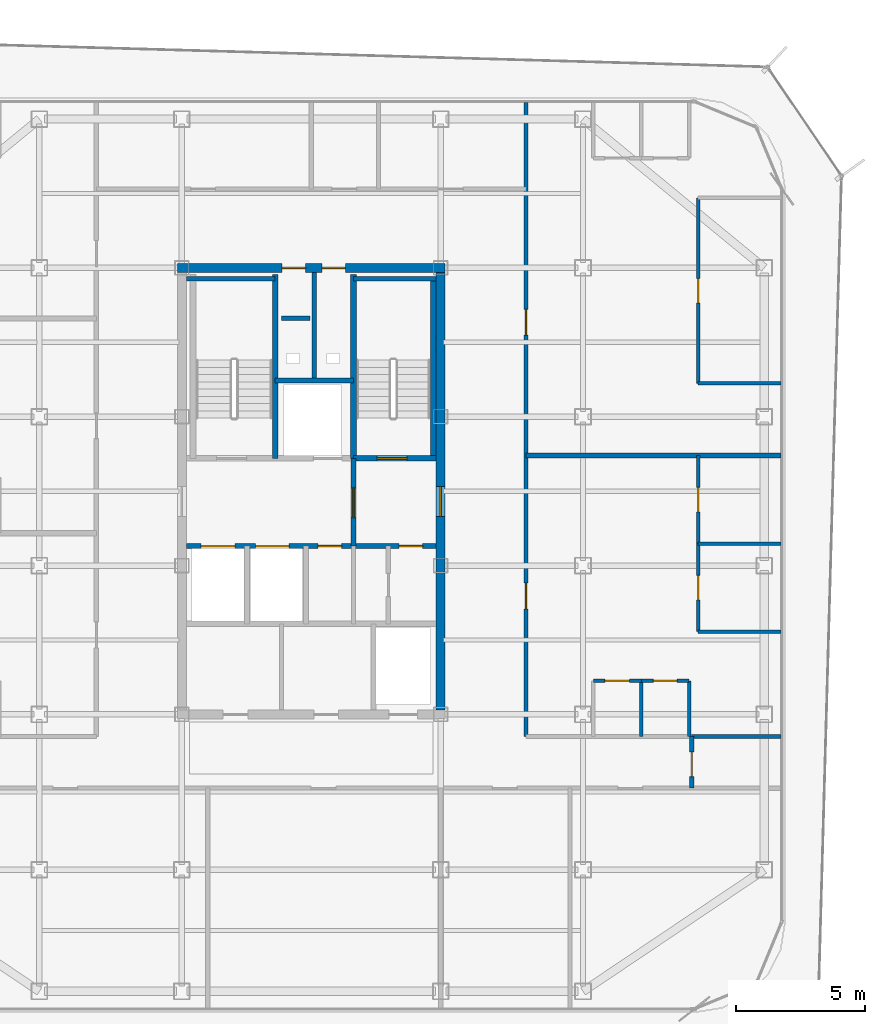
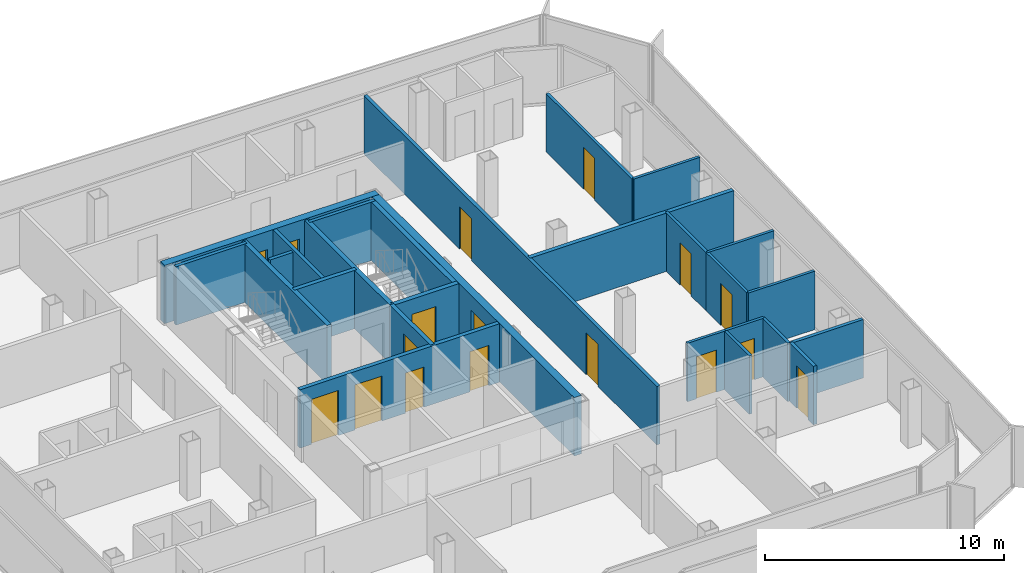
# One storey, part 11 of 14: 27 walls, 17 doors, 17 openings.
"""IFC4 building model written with IfcOpenShell, lengths in metres."""

import ifcopenshell
import ifcopenshell.guid

model = None  # the IFC model being written
_history = None  # IfcOwnerHistory: only IFC2X3 demands one
_inside = {}  # id of a spatial element -> (the spatial element, [elements in it])
_under = {}  # id of a project, library or spatial element -> (it, [spatial elements below it])
_declared = {}  # id of a project -> (the project, [libraries it declares])
_typed = {}  # id of a type object -> (the type object, [elements of that type])
_made_of = {}  # id of a material, layer set ... -> (it, [elements and type objects made of it])


def new_model(schema):
    """Start an empty IFC model of exactly this schema.

    Asked for "IFC4X3", IfcOpenShell would pick the latest addendum, in which some entities
    have other attributes; the version numbers below select the first issue.
    IFC2X3 requires an IfcOwnerHistory on every rooted entity: one is made here for all.
    """
    global model, _history
    if schema == "IFC4X3":
        model = ifcopenshell.file(schema_version=(4, 3, 0, 0))
    else:
        model = ifcopenshell.file(schema=schema)
    _inside.clear()
    _under.clear()
    _declared.clear()
    _typed.clear()
    _made_of.clear()
    _history = None
    if model.schema == "IFC2X3":
        org = make("IfcOrganization", Name="unknown")
        user = make(
            "IfcPersonAndOrganization",
            ThePerson=make("IfcPerson", FamilyName="unknown"),
            TheOrganization=org,
        )
        app = make(
            "IfcApplication",
            ApplicationDeveloper=org,
            Version="unknown",
            ApplicationFullName="unknown",
            ApplicationIdentifier="unknown",
        )
        _history = make(
            "IfcOwnerHistory",
            OwningUser=user,
            OwningApplication=app,
            ChangeAction="ADDED",
            CreationDate=0,
        )
    return model


def make(cls, **values):
    """One entity of the class cls with the attributes given. An attribute that is None is left unset."""
    return model.create_entity(
        cls, **{name: value for name, value in values.items() if value is not None}
    )


def rooted(cls, **values):
    """An entity with a GlobalId (a new one), such as an element, a storey or a relation."""
    return make(cls, GlobalId=ifcopenshell.guid.new(), OwnerHistory=_history, **values)


def si_unit(unit_type, name, prefix=None):
    """IfcSIUnit, for example si_unit("LENGTHUNIT", "METRE", prefix="MILLI")."""
    return make("IfcSIUnit", UnitType=unit_type, Prefix=prefix, Name=name)


def assignment(units):
    """IfcUnitAssignment: the units of a project."""
    return None if units is None else make("IfcUnitAssignment", Units=units)


def point(xyz):
    """IfcCartesianPoint."""
    return None if xyz is None else make("IfcCartesianPoint", Coordinates=xyz)


def direction(xyz):
    """IfcDirection."""
    return None if xyz is None else make("IfcDirection", DirectionRatios=xyz)


def frame(location, z_axis=None, x_axis=None):
    """IfcAxis2Placement3D, a coordinate frame: its origin and axes. An axis left out is left unset."""
    return make(
        "IfcAxis2Placement3D",
        Location=point(location),
        Axis=direction(z_axis),
        RefDirection=direction(x_axis),
    )


def frame_2d(location, x_axis=None):
    """IfcAxis2Placement2D, a coordinate frame in the plane: its origin and x axis."""
    return make(
        "IfcAxis2Placement2D", Location=point(location), RefDirection=direction(x_axis)
    )


def origin():
    """The frame at (0, 0, 0) with its axes left unset."""
    return frame((0.0, 0.0, 0.0))


def place(relative_to, where):
    """IfcLocalPlacement: puts the frame where relative to a parent placement (None: the world)."""
    return make(
        "IfcLocalPlacement", PlacementRelTo=relative_to, RelativePlacement=where
    )


def context(
    kind, dimensions, precision=None, world=None, true_north=None, identifier=None
):
    """IfcGeometricRepresentationContext, for example the 3D "Model" context."""
    return make(
        "IfcGeometricRepresentationContext",
        ContextIdentifier=identifier,
        ContextType=kind,
        CoordinateSpaceDimension=dimensions,
        Precision=precision,
        WorldCoordinateSystem=world,
        TrueNorth=true_north,
    )


def subcontext(parent, identifier, kind, view, scale=None):
    """IfcGeometricRepresentationSubContext, for example "Body" below "Model"."""
    return make(
        "IfcGeometricRepresentationSubContext",
        ContextIdentifier=identifier,
        ContextType=kind,
        ParentContext=parent,
        TargetScale=scale,
        TargetView=view,
    )


def project(units=None, contexts=None):
    """IfcProject with its units and contexts."""
    return rooted(
        "IfcProject",
        Name="project",
        RepresentationContexts=contexts,
        UnitsInContext=assignment(units),
    )


def spatial(cls, under=None, at=None, **own):
    """A site, building, storey or space (cls), placed at a placement, below another one or the project."""
    s = rooted(cls, ObjectPlacement=at, **own)
    if under is not None:
        _under.setdefault(under.id(), (under, []))[1].append(s)
    return s


def profile(cls, at=None, kind="AREA", **sizes):
    """A parametric profile (cls). Its sizes go by their IFC names, for example OverallWidth=200.0."""
    return make(cls, ProfileType=kind, Position=at, **sizes)


def rectangle(**sizes):
    """IfcRectangleProfileDef."""
    return profile("IfcRectangleProfileDef", **sizes)


def extrude(swept, where, along, depth):
    """IfcExtrudedAreaSolid: the profile swept, set in the frame where, extruded along a direction by depth."""
    return make(
        "IfcExtrudedAreaSolid",
        SweptArea=swept,
        Position=where,
        ExtrudedDirection=direction(along),
        Depth=depth,
    )


def shape(context_of_items, identifier, shape_type, items):
    """IfcShapeRepresentation: the items that make up one representation, for example the "Body"."""
    return make(
        "IfcShapeRepresentation",
        ContextOfItems=context_of_items,
        RepresentationIdentifier=identifier,
        RepresentationType=shape_type,
        Items=items,
    )


def material(Name=None, Category=None):
    """IfcMaterial."""
    return make("IfcMaterial", Name=Name, Category=Category)


def layer(
    of_material, thickness, ventilated=None, Name=None, Category=None, Priority=None
):
    """IfcMaterialLayer: one layer of a wall or slab, of a material (None: an air gap)."""
    return make(
        "IfcMaterialLayer",
        Material=of_material,
        LayerThickness=thickness,
        IsVentilated=ventilated,
        Name=Name,
        Category=Category,
        Priority=Priority,
    )


def layer_set(layers, Name=None):
    """IfcMaterialLayerSet."""
    return make("IfcMaterialLayerSet", MaterialLayers=layers, LayerSetName=Name)


def made_of(thing, what):
    """Note that an element or type object is made of a material, layer set ...; save() writes the relation."""
    if what is not None:
        _made_of.setdefault(what.id(), (what, []))[1].append(thing)
    return thing


def type_object(cls, material=None, **own):
    """A type object (cls), such as IfcWallType, which elements share."""
    return made_of(rooted(cls, **own), material)


def element(
    cls,
    number,
    at=None,
    inside=None,
    cuts=None,
    type_object=None,
    material=None,
    context=None,
    identifier="Body",
    shape_type=None,
    held_by="IfcProductDefinitionShape",
    body=None,
    shapes=None,
    **own,
):
    """One element of the class cls, such as IfcWall. Its Tag is "e" and its number.

    at: its placement. inside: the storey or other place that contains it. cuts: it is an
    opening in that element (IfcRelVoidsElement). A single representation is given by context,
    identifier, shape_type and body (its items); several are given by shapes. held_by: the class
    of the entity that holds the representations. save() writes the other relations.
    """
    e = rooted(cls, Tag="e%d" % number, ObjectPlacement=at, **own)
    if body is not None:
        shapes = [shape(context, identifier, shape_type, body)]
    if shapes is not None:
        e.Representation = make(held_by, Representations=shapes)
    if inside is not None:
        _inside.setdefault(inside.id(), (inside, []))[1].append(e)
    if cuts is not None:
        rooted(
            "IfcRelVoidsElement", RelatingBuildingElement=cuts, RelatedOpeningElement=e
        )
    if type_object is not None:
        _typed.setdefault(type_object.id(), (type_object, []))[1].append(e)
    return made_of(e, material)


def fill(opening, filler):
    """IfcRelFillsElement: the door or window that sits in an opening."""
    return rooted(
        "IfcRelFillsElement",
        RelatingOpeningElement=opening,
        RelatedBuildingElement=filler,
    )


def aggregate(whole, parts):
    """IfcRelAggregates: a whole, such as a stair, and the parts it consists of."""
    return rooted("IfcRelAggregates", RelatingObject=whole, RelatedObjects=parts)


def save(model, path):
    """Write the relations noted so far, then the file.

    IfcRelAggregates (storeys below a building ...), IfcRelContainedInSpatialStructure (elements
    in a storey), IfcRelDefinesByType, IfcRelAssociatesMaterial and IfcRelDeclares: one each for
    every whole, place, type object, material and project.
    """
    for whole, parts in _under.values():
        aggregate(whole, parts)
    for where, things in _inside.values():
        rooted(
            "IfcRelContainedInSpatialStructure",
            RelatedElements=things,
            RelatingStructure=where,
        )
    for kind, things in _typed.values():
        rooted("IfcRelDefinesByType", RelatedObjects=things, RelatingType=kind)
    for what, things in _made_of.values():
        rooted("IfcRelAssociatesMaterial", RelatedObjects=things, RelatingMaterial=what)
    for by, libraries in _declared.values():
        rooted("IfcRelDeclares", RelatingContext=by, RelatedDefinitions=libraries)
    model.write(path)


model = new_model("IFC4")

# Units and contexts
model_context = context("Model", 3, precision=1e-05, world=origin(), true_north=direction((0.0, 1.0)))
body_context = subcontext(model_context, "Body", "Model", "MODEL_VIEW")
ifc_project = project(units=[si_unit("LENGTHUNIT", "METRE"), si_unit("AREAUNIT", "SQUARE_METRE"), si_unit("VOLUMEUNIT", "CUBIC_METRE"), si_unit("PLANEANGLEUNIT", "RADIAN"), si_unit("MASSUNIT", "GRAM", prefix="KILO")], contexts=[model_context])

# Site, building, storey
site_placement = place(None, origin())
site = spatial("IfcSite", under=ifc_project, at=site_placement, CompositionType="ELEMENT")
building_placement = place(site_placement, origin())
building = spatial("IfcBuilding", under=site, at=building_placement, Name="Kolveth Station Tower", CompositionType="ELEMENT")
storey_placement = place(building_placement, frame((0.0, 0.0, 226.5)))
storey = spatial("IfcBuildingStorey", under=building, at=storey_placement, Name="L64", CompositionType="ELEMENT", Elevation=226.5)

# Wall, openings, doors
ifc_material_1 = material(Name="Concrete C50/60", Category="concrete")
ifc_layer_1 = layer(ifc_material_1, 0.35009765625)
ifc_layer_set_1 = layer_set([ifc_layer_1], Name="Concrete C50/60")
wall_type_1 = type_object("IfcWallType", Name="Wall_CW-350", PredefinedType="SHEAR", material=ifc_layer_set_1)
wall_1_placement = place(storey_placement, frame((18.324951171875, 28.75, 0.0), z_axis=(0.0, 0.0, 1.0), x_axis=(1.0, 0.0, 0.0)))
wall_1 = element("IfcWall", 1, at=wall_1_placement, inside=storey, type_object=wall_type_1, Name="L64 Core RC Shear Wall N", PredefinedType="SHEAR", context=body_context, shape_type="SweptSolid", body=[
    extrude(rectangle(XDim=10.35009765625, YDim=0.35009765625, at=frame_2d((5.175048828125, 0.0))), origin(), (0.0, 0.0, 1.0), 2.97998046875),
])
opening_1_placement = place(wall_1_placement, frame((4.054931640625, 0.0, 0.0)))
opening_1 = element("IfcOpeningElement", 2, at=opening_1_placement, cuts=wall_1, Name="Opening RD1", PredefinedType="OPENING", context=body_context, shape_type="SweptSolid", body=[
    extrude(rectangle(XDim=0.89990234375, YDim=2.050048828125, at=frame_2d((0.449951171875, 1.02490234375))), frame((0.0, 0.18505859375, 0.0), z_axis=(0.0, -1.0, 0.0), x_axis=(1.0, 0.0, 0.0)), (0.0, 0.0, 1.0), 0.3701171875),
])
opening_2_placement = place(wall_1_placement, frame((5.594970703125, 0.0, 0.0)))
opening_2 = element("IfcOpeningElement", 3, at=opening_2_placement, cuts=wall_1, Name="Opening RD1", PredefinedType="OPENING", context=body_context, shape_type="SweptSolid", body=[
    extrude(rectangle(XDim=0.89990234375, YDim=2.050048828125, at=frame_2d((0.449951171875, 1.02490234375))), frame((0.0, 0.18505859375, 0.0), z_axis=(0.0, -1.0, 0.0), x_axis=(1.0, 0.0, 0.0)), (0.0, 0.0, 1.0), 0.3701171875),
])
ifc_material_2 = material(Name="Fire-rated Steel S355 riser access leaf", Category="steel")
door_type_1 = type_object("IfcDoorType", Name="Door_RD1", OperationType="NOTDEFINED", PredefinedType="DOOR", material=ifc_material_2)
door_1_placement = place(opening_1_placement, origin())
door_1 = element("IfcDoor", 4, at=door_1_placement, inside=storey, type_object=door_type_1, Name="L64 Electrical Riser Access Door", OperationType="SINGLE_SWING_RIGHT", OverallHeight=2.050048828125, OverallWidth=0.89990234375, PredefinedType="DOOR", context=body_context, shape_type="SweptSolid", body=[
    extrude(rectangle(XDim=0.89990234375, YDim=2.050048828125, at=frame_2d((0.449951171875, 1.02490234375))), frame((0.0, 0.02490234375, 0.0), z_axis=(0.0, -1.0, 0.0), x_axis=(1.0, 0.0, 0.0)), (0.0, 0.0, 1.0), 0.050048828125),
])
fill(opening_1, door_1)
door_2_placement = place(opening_2_placement, origin())
door_2 = element("IfcDoor", 5, at=door_2_placement, inside=storey, type_object=door_type_1, Name="L64 Smoke Duct Access Door", OperationType="SINGLE_SWING_LEFT", OverallHeight=2.050048828125, OverallWidth=0.89990234375, PredefinedType="DOOR", context=body_context, shape_type="SweptSolid", body=[
    extrude(rectangle(XDim=0.89990234375, YDim=2.050048828125, at=frame_2d((0.449951171875, 1.02490234375))), frame((0.0, 0.02490234375, 0.0), z_axis=(0.0, -1.0, 0.0), x_axis=(1.0, 0.0, 0.0)), (0.0, 0.0, 1.0), 0.050048828125),
])
fill(opening_2, door_2)

# Wall, opening, door
wall_2_placement = place(storey_placement, frame((28.5, 11.675048828125, 0.0), z_axis=(0.0, 0.0, 1.0), x_axis=(0.0, 1.0, 0.0)))
wall_2 = element("IfcWall", 6, at=wall_2_placement, inside=storey, type_object=wall_type_1, Name="L64 Core RC Shear Wall E", PredefinedType="SHEAR", context=body_context, shape_type="SweptSolid", body=[
    extrude(rectangle(XDim=16.89990234375, YDim=0.35009765625, at=frame_2d((8.449951171875, 0.0))), origin(), (0.0, 0.0, 1.0), 2.97998046875),
])
opening_3_placement = place(wall_2_placement, frame((7.47509765625, 0.0, 0.0)))
opening_3 = element("IfcOpeningElement", 7, at=opening_3_placement, cuts=wall_2, Name="Opening FD1", PredefinedType="OPENING", context=body_context, shape_type="SweptSolid", body=[
    extrude(rectangle(XDim=1.14990234375, YDim=2.199951171875, at=frame_2d((0.574951171875, 1.10009765625))), frame((0.0, 0.18505859375, 0.0), z_axis=(0.0, -1.0, 0.0), x_axis=(1.0, 0.0, 0.0)), (0.0, 0.0, 1.0), 0.3701171875),
])
ifc_material_3 = material(Name="Fire-rated Steel S355 leaf and frame", Category="steel")
door_type_2 = type_object("IfcDoorType", Name="Door_FD1", OperationType="NOTDEFINED", PredefinedType="DOOR", material=ifc_material_3)
door_3_placement = place(opening_3_placement, origin())
door_3 = element("IfcDoor", 8, at=door_3_placement, inside=storey, type_object=door_type_2, Name="L64 East Corridor to Stair Lobby Door", OperationType="SINGLE_SWING_LEFT", OverallHeight=2.199951171875, OverallWidth=1.14990234375, PredefinedType="DOOR", context=body_context, shape_type="SweptSolid", body=[
    extrude(rectangle(XDim=1.14990234375, YDim=2.199951171875, at=frame_2d((0.574951171875, 1.10009765625))), frame((0.0, 0.02490234375, 0.0), z_axis=(0.0, -1.0, 0.0), x_axis=(1.0, 0.0, 0.0)), (0.0, 0.0, 1.0), 0.050048828125),
])
fill(opening_3, door_3)

ifc_material_4 = material(Name="Moisture-resistant gypsum partition")
ifc_layer_2 = layer(ifc_material_4, 0.135009765625)
ifc_layer_set_2 = layer_set([ifc_layer_2], Name="Moisture-resistant gypsum partition")
wall_type_2 = type_object("IfcWallType", Name="Wall_IW-135", PredefinedType="PARTITIONING", material=ifc_layer_set_2)
wall_3_placement = place(storey_placement, frame((34.39990234375, 12.800048828125, 0.0), z_axis=(0.0, 0.0, 1.0), x_axis=(1.0, 0.0, 0.0)))
wall_3 = element("IfcWall", 9, at=wall_3_placement, inside=storey, type_object=wall_type_2, Name="L64 Partition Wall WL-L64-E1-IBHK", PredefinedType="PARTITIONING", context=body_context, shape_type="SweptSolid", body=[
    extrude(rectangle(XDim=1.85009765625, YDim=0.135009765625, at=frame_2d((0.925048828125, 0.0))), origin(), (0.0, 0.0, 1.0), 2.97998046875),
])
opening_4_placement = place(wall_3_placement, frame((0.445068359375, 0.0, 0.0)))
opening_4 = element("IfcOpeningElement", 10, at=opening_4_placement, cuts=wall_3, Name="Opening ID1", PredefinedType="OPENING", context=body_context, shape_type="SweptSolid", body=[
    extrude(rectangle(XDim=0.949951171875, YDim=2.14990234375, at=frame_2d((0.47509765625, 1.074951171875))), frame((0.0, 0.077392578125, 0.0), z_axis=(0.0, -1.0, 0.0), x_axis=(1.0, 0.0, 0.0)), (0.0, 0.0, 1.0), 0.155029296875),
])
ifc_material_5 = material(Name="Acoustic hardwood leaf and aluminium frame", Category="wood")
door_type_3 = type_object("IfcDoorType", Name="Door_ID1", OperationType="NOTDEFINED", PredefinedType="DOOR", material=ifc_material_5)
door_4_placement = place(opening_4_placement, origin())
door_4 = element("IfcDoor", 11, at=door_4_placement, inside=storey, type_object=door_type_3, Name="Penthouse Flat L64-E1 Kitchen Door", OperationType="SINGLE_SWING_LEFT", OverallHeight=2.14990234375, OverallWidth=0.949951171875, PredefinedType="DOOR", context=body_context, shape_type="SweptSolid", body=[
    extrude(rectangle(XDim=0.949951171875, YDim=2.14990234375, at=frame_2d((0.47509765625, 1.074951171875))), frame((0.0, 0.02490234375, 0.0), z_axis=(0.0, -1.0, 0.0), x_axis=(1.0, 0.0, 0.0)), (0.0, 0.0, 1.0), 0.050048828125),
])
fill(opening_4, door_4)

wall_4_placement = place(storey_placement, frame((36.25, 12.800048828125, 0.0), z_axis=(0.0, 0.0, 1.0), x_axis=(1.0, 0.0, 0.0)))
wall_4 = element("IfcWall", 12, at=wall_4_placement, inside=storey, type_object=wall_type_2, Name="L64 Partition Wall WL-L64-E1-IBHB", PredefinedType="PARTITIONING", context=body_context, shape_type="SweptSolid", body=[
    extrude(rectangle(XDim=1.85009765625, YDim=0.135009765625, at=frame_2d((0.925048828125, 0.0))), origin(), (0.0, 0.0, 1.0), 2.97998046875),
])
opening_5_placement = place(wall_4_placement, frame((0.465087890625, 0.0, 0.0)))
opening_5 = element("IfcOpeningElement", 13, at=opening_5_placement, cuts=wall_4, Name="Opening ID2", PredefinedType="OPENING", context=body_context, shape_type="SweptSolid", body=[
    extrude(rectangle(XDim=0.919921875, YDim=2.10009765625, at=frame_2d((0.4599609375, 1.050048828125))), frame((0.0, 0.077392578125, 0.0), z_axis=(0.0, -1.0, 0.0), x_axis=(1.0, 0.0, 0.0)), (0.0, 0.0, 1.0), 0.155029296875),
])
ifc_material_6 = material(Name="Moisture-resistant hardwood leaf", Category="wood")
door_type_4 = type_object("IfcDoorType", Name="Door_ID2", OperationType="NOTDEFINED", PredefinedType="DOOR", material=ifc_material_6)
door_5_placement = place(opening_5_placement, origin())
door_5 = element("IfcDoor", 14, at=door_5_placement, inside=storey, type_object=door_type_4, Name="Penthouse Flat L64-E1 Bathroom Door", OperationType="SINGLE_SWING_RIGHT", OverallHeight=2.10009765625, OverallWidth=0.919921875, PredefinedType="DOOR", context=body_context, shape_type="SweptSolid", body=[
    extrude(rectangle(XDim=0.919921875, YDim=2.10009765625, at=frame_2d((0.4599609375, 1.050048828125))), frame((0.0, 0.02490234375, 0.0), z_axis=(0.0, -1.0, 0.0), x_axis=(1.0, 0.0, 0.0)), (0.0, 0.0, 1.0), 0.050048828125),
])
fill(opening_5, door_5)

# Walls
for number, where, z_axis, x_axis, name in (
    (15, (36.25, 10.64990234375, 0.0), (0.0, 0.0, 1.0), (0.0, 1.0, 0.0), "L64 Partition Wall WL-L64-E1-IBV1"),
    (16, (38.10009765625, 10.64990234375, 0.0), (0.0, 0.0, 1.0), (0.0, 1.0, 0.0), "L64 Partition Wall WL-L64-E1-IBV2"),
):
    element("IfcWall", number, at=place(storey_placement, frame(where, z_axis=z_axis, x_axis=x_axis)), inside=storey, type_object=wall_type_2, Name=name, PredefinedType="PARTITIONING", context=body_context, shape_type="SweptSolid", body=[
        extrude(rectangle(XDim=2.150146484375, YDim=0.135009765625, at=frame_2d((1.0751953125, 0.0))), origin(), (0.0, 0.0, 1.0), 2.97998046875),
    ])
wall_5_placement = place(storey_placement, frame((38.449951171875, 14.699951171875, 0.0), z_axis=(0.0, 0.0, 1.0), x_axis=(1.0, 0.0, 0.0)))
element("IfcWall", 17, at=wall_5_placement, inside=storey, type_object=wall_type_2, Name="L64 Partition Wall WL-L64-E1-BDH0", PredefinedType="PARTITIONING", context=body_context, shape_type="SweptSolid", body=[
    extrude(rectangle(XDim=3.18994140625, YDim=0.135009765625, at=frame_2d((1.594970703125, 0.0))), origin(), (0.0, 0.0, 1.0), 2.97998046875),
])

# Wall, opening, door
wall_6_placement = place(storey_placement, frame((38.449951171875, 14.699951171875, 0.0), z_axis=(0.0, 0.0, 1.0), x_axis=(0.0, 1.0, 0.0)))
wall_6 = element("IfcWall", 18, at=wall_6_placement, inside=storey, type_object=wall_type_2, Name="L64 Partition Wall WL-L64-E1-BDV1", PredefinedType="PARTITIONING", context=body_context, shape_type="SweptSolid", body=[
    extrude(rectangle(XDim=3.400146484375, YDim=0.135009765625, at=frame_2d((1.7001953125, 0.0))), origin(), (0.0, 0.0, 1.0), 2.97998046875),
])
opening_6_placement = place(wall_6_placement, frame((1.219970703125, 0.0, 0.0)))
opening_6 = element("IfcOpeningElement", 19, at=opening_6_placement, cuts=wall_6, Name="Opening ID1", PredefinedType="OPENING", context=body_context, shape_type="SweptSolid", body=[
    extrude(rectangle(XDim=0.949951171875, YDim=2.14990234375, at=frame_2d((0.47509765625, 1.074951171875))), frame((0.0, 0.077392578125, 0.0), z_axis=(0.0, -1.0, 0.0), x_axis=(1.0, 0.0, 0.0)), (0.0, 0.0, 1.0), 0.155029296875),
])
door_6_placement = place(opening_6_placement, frame((0.949951171875, 0.0, 0.0), z_axis=(0.0, 0.0, 1.0), x_axis=(-1.0, 0.0, 0.0)))
door_6 = element("IfcDoor", 20, at=door_6_placement, inside=storey, type_object=door_type_3, Name="Penthouse Flat L64-E1 Bedroom 1 Door", OperationType="SINGLE_SWING_LEFT", OverallHeight=2.14990234375, OverallWidth=0.949951171875, PredefinedType="DOOR", context=body_context, shape_type="SweptSolid", body=[
    extrude(rectangle(XDim=0.949951171875, YDim=2.14990234375, at=frame_2d((0.47509765625, 1.074951171875))), frame((0.0, 0.02490234375, 0.0), z_axis=(0.0, -1.0, 0.0), x_axis=(1.0, 0.0, 0.0)), (0.0, 0.0, 1.0), 0.050048828125),
])
fill(opening_6, door_6)

wall_7_placement = place(storey_placement, frame((38.449951171875, 18.10009765625, 0.0), z_axis=(0.0, 0.0, 1.0), x_axis=(0.0, 1.0, 0.0)))
wall_7 = element("IfcWall", 21, at=wall_7_placement, inside=storey, type_object=wall_type_2, Name="L64 Partition Wall WL-L64-E1-BDV2", PredefinedType="PARTITIONING", context=body_context, shape_type="SweptSolid", body=[
    extrude(rectangle(XDim=3.39990234375, YDim=0.135009765625, at=frame_2d((1.699951171875, 0.0))), origin(), (0.0, 0.0, 1.0), 2.97998046875),
])
opening_7_placement = place(wall_7_placement, frame((1.219970703125, 0.0, 0.0)))
opening_7 = element("IfcOpeningElement", 22, at=opening_7_placement, cuts=wall_7, Name="Opening ID1", PredefinedType="OPENING", context=body_context, shape_type="SweptSolid", body=[
    extrude(rectangle(XDim=0.949951171875, YDim=2.14990234375, at=frame_2d((0.47509765625, 1.074951171875))), frame((0.0, 0.077392578125, 0.0), z_axis=(0.0, -1.0, 0.0), x_axis=(1.0, 0.0, 0.0)), (0.0, 0.0, 1.0), 0.155029296875),
])
door_7_placement = place(opening_7_placement, frame((0.949951171875, 0.0, 0.0), z_axis=(0.0, 0.0, 1.0), x_axis=(-1.0, 0.0, 0.0)))
door_7 = element("IfcDoor", 23, at=door_7_placement, inside=storey, type_object=door_type_3, Name="Penthouse Flat L64-E1 Bedroom 2 Door", OperationType="SINGLE_SWING_RIGHT", OverallHeight=2.14990234375, OverallWidth=0.949951171875, PredefinedType="DOOR", context=body_context, shape_type="SweptSolid", body=[
    extrude(rectangle(XDim=0.949951171875, YDim=2.14990234375, at=frame_2d((0.47509765625, 1.074951171875))), frame((0.0, 0.02490234375, 0.0), z_axis=(0.0, -1.0, 0.0), x_axis=(1.0, 0.0, 0.0)), (0.0, 0.0, 1.0), 0.050048828125),
])
fill(opening_7, door_7)

# Walls
for number, where, z_axis, x_axis, name in (
    (24, (38.449951171875, 18.10009765625, 0.0), (0.0, 0.0, 1.0), (1.0, 0.0, 0.0), "L64 Partition Wall WL-L64-E1-BDH1"),
    (25, (38.449951171875, 24.285888671875, 0.0), (0.0, 0.0, 1.0), (1.0, 0.0, 0.0), "L64 Partition Wall WL-L64-E2-BDH0"),
):
    element("IfcWall", number, at=place(storey_placement, frame(where, z_axis=z_axis, x_axis=x_axis)), inside=storey, type_object=wall_type_2, Name=name, PredefinedType="PARTITIONING", context=body_context, shape_type="SweptSolid", body=[
        extrude(rectangle(XDim=3.18994140625, YDim=0.135009765625, at=frame_2d((1.594970703125, 0.0))), origin(), (0.0, 0.0, 1.0), 2.97998046875),
    ])

# Wall, opening, door
wall_8_placement = place(storey_placement, frame((38.449951171875, 24.285888671875, 0.0), z_axis=(0.0, 0.0, 1.0), x_axis=(0.0, 1.0, 0.0)))
wall_8 = element("IfcWall", 26, at=wall_8_placement, inside=storey, type_object=wall_type_2, Name="L64 Partition Wall WL-L64-E2-BDV1", PredefinedType="PARTITIONING", context=body_context, shape_type="SweptSolid", body=[
    extrude(rectangle(XDim=7.1640625, YDim=0.135009765625, at=frame_2d((3.58203125, 0.0))), origin(), (0.0, 0.0, 1.0), 2.97998046875),
])
opening_8_placement = place(wall_8_placement, frame((3.10205078125, 0.0, 0.0)))
opening_8 = element("IfcOpeningElement", 27, at=opening_8_placement, cuts=wall_8, Name="Opening ID1", PredefinedType="OPENING", context=body_context, shape_type="SweptSolid", body=[
    extrude(rectangle(XDim=0.949951171875, YDim=2.14990234375, at=frame_2d((0.47509765625, 1.074951171875))), frame((0.0, 0.077392578125, 0.0), z_axis=(0.0, -1.0, 0.0), x_axis=(1.0, 0.0, 0.0)), (0.0, 0.0, 1.0), 0.155029296875),
])
door_8_placement = place(opening_8_placement, frame((0.949951171875, 0.0, 0.0), z_axis=(0.0, 0.0, 1.0), x_axis=(-1.0, 0.0, 0.0)))
door_8 = element("IfcDoor", 28, at=door_8_placement, inside=storey, type_object=door_type_3, Name="Penthouse Flat L64-E2 Bedroom 1 Door", OperationType="SINGLE_SWING_LEFT", OverallHeight=2.14990234375, OverallWidth=0.949951171875, PredefinedType="DOOR", context=body_context, shape_type="SweptSolid", body=[
    extrude(rectangle(XDim=0.949951171875, YDim=2.14990234375, at=frame_2d((0.47509765625, 1.074951171875))), frame((0.0, 0.02490234375, 0.0), z_axis=(0.0, -1.0, 0.0), x_axis=(1.0, 0.0, 0.0)), (0.0, 0.0, 1.0), 0.050048828125),
])
fill(opening_8, door_8)

# Walls
ifc_material_7 = material(Name="Acoustic double-stud gypsum partition")
ifc_layer_3 = layer(ifc_material_7, 0.1650390625)
ifc_layer_set_3 = layer_set([ifc_layer_3], Name="Acoustic double-stud gypsum partition")
wall_type_3 = type_object("IfcWallType", Name="Wall_IW-165", PredefinedType="PARTITIONING", material=ifc_layer_set_3)
wall_9_placement = place(storey_placement, frame((18.68505859375, 28.3349609375, 0.0), z_axis=(0.0, 0.0, 1.0), x_axis=(1.0, 0.0, 0.0)))
element("IfcWall", 29, at=wall_9_placement, inside=storey, type_object=wall_type_3, Name="L64 Stair Shaft Wall WL-L64-ST1-N", PredefinedType="PARTITIONING", context=body_context, shape_type="SweptSolid", body=[
    extrude(rectangle(XDim=3.425048828125, YDim=0.1650390625, at=frame_2d((1.71240234375, 0.0))), origin(), (0.0, 0.0, 1.0), 2.97998046875),
])
wall_10_placement = place(storey_placement, frame((25.1298828125, 28.3349609375, 0.0), z_axis=(0.0, 0.0, 1.0), x_axis=(1.0, 0.0, 0.0)))
element("IfcWall", 30, at=wall_10_placement, inside=storey, type_object=wall_type_3, Name="L64 Stair Shaft Wall WL-L64-ST2-N", PredefinedType="PARTITIONING", context=body_context, shape_type="SweptSolid", body=[
    extrude(rectangle(XDim=3.18505859375, YDim=0.1650390625, at=frame_2d((1.592529296875, 0.0))), origin(), (0.0, 0.0, 1.0), 2.97998046875),
])
wall_11_placement = place(storey_placement, frame((23.6201171875, 24.39990234375, 0.0), z_axis=(0.0, 0.0, 1.0), x_axis=(0.0, 1.0, 0.0)))
element("IfcWall", 31, at=wall_11_placement, inside=storey, type_object=wall_type_3, Name="L64 Partition Wall WL-L64-RSR-M", PredefinedType="PARTITIONING", context=body_context, shape_type="SweptSolid", body=[
    extrude(rectangle(XDim=4.1650390625, YDim=0.1650390625, at=frame_2d((2.08251953125, 0.0))), origin(), (0.0, 0.0, 1.0), 2.97998046875),
])

# Wall, opening, door
wall_12_placement = place(storey_placement, frame((38.199951171875, 8.64990234375, 0.0), z_axis=(0.0, 0.0, 1.0), x_axis=(0.0, 1.0, 0.0)))
wall_12 = element("IfcWall", 32, at=wall_12_placement, inside=storey, type_object=wall_type_3, Name="L64 Partition Wall WL-L64-RSEE", PredefinedType="PARTITIONING", context=body_context, shape_type="SweptSolid", body=[
    extrude(rectangle(XDim=2.0, YDim=0.1650390625, at=frame_2d((1.0, 0.0))), origin(), (0.0, 0.0, 1.0), 2.97998046875),
])
opening_9_placement = place(wall_12_placement, frame((0.449951171875, 0.0, 0.0)))
opening_9 = element("IfcOpeningElement", 33, at=opening_9_placement, cuts=wall_12, Name="Opening ID1", PredefinedType="OPENING", context=body_context, shape_type="SweptSolid", body=[
    extrude(rectangle(XDim=0.949951171875, YDim=2.14990234375, at=frame_2d((0.47509765625, 1.074951171875))), frame((0.0, 0.092529296875, 0.0), z_axis=(0.0, -1.0, 0.0), x_axis=(1.0, 0.0, 0.0)), (0.0, 0.0, 1.0), 0.18505859375),
])
door_9_placement = place(opening_9_placement, origin())
door_9 = element("IfcDoor", 34, at=door_9_placement, inside=storey, type_object=door_type_3, Name="L64 Hobby Study Door", OperationType="SINGLE_SWING_LEFT", OverallHeight=2.14990234375, OverallWidth=0.949951171875, PredefinedType="DOOR", context=body_context, shape_type="SweptSolid", body=[
    extrude(rectangle(XDim=0.949951171875, YDim=2.14990234375, at=frame_2d((0.47509765625, 1.074951171875))), frame((0.0, 0.02490234375, 0.0), z_axis=(0.0, -1.0, 0.0), x_axis=(1.0, 0.0, 0.0)), (0.0, 0.0, 1.0), 0.050048828125),
])
fill(opening_9, door_9)

# Wall, openings, doors
wall_13_placement = place(storey_placement, frame((31.800048828125, 10.64990234375, 0.0), z_axis=(0.0, 0.0, 1.0), x_axis=(0.0, 1.0, 0.0)))
wall_13 = element("IfcWall", 35, at=wall_13_placement, inside=storey, type_object=wall_type_3, Name="L64 Partition Wall WL-L64-RE", PredefinedType="PARTITIONING", context=body_context, shape_type="SweptSolid", body=[
    extrude(rectangle(XDim=24.489990234375, YDim=0.1650390625, at=frame_2d((12.2451171875, 0.0))), origin(), (0.0, 0.0, 1.0), 2.97998046875),
])
opening_10_placement = place(wall_13_placement, frame((4.925048828125, 0.0, 0.0)))
opening_10 = element("IfcOpeningElement", 36, at=opening_10_placement, cuts=wall_13, Name="Opening FD3", PredefinedType="OPENING", context=body_context, shape_type="SweptSolid", body=[
    extrude(rectangle(XDim=1.0, YDim=2.14990234375, at=frame_2d((0.5, 1.074951171875))), frame((0.0, 0.092529296875, 0.0), z_axis=(0.0, -1.0, 0.0), x_axis=(1.0, 0.0, 0.0)), (0.0, 0.0, 1.0), 0.18505859375),
])
opening_11_placement = place(wall_13_placement, frame((15.5, 0.0, 0.0)))
opening_11 = element("IfcOpeningElement", 37, at=opening_11_placement, cuts=wall_13, Name="Opening FD3", PredefinedType="OPENING", context=body_context, shape_type="SweptSolid", body=[
    extrude(rectangle(XDim=1.0, YDim=2.14990234375, at=frame_2d((0.5, 1.074951171875))), frame((0.0, 0.092529296875, 0.0), z_axis=(0.0, -1.0, 0.0), x_axis=(1.0, 0.0, 0.0)), (0.0, 0.0, 1.0), 0.18505859375),
])
ifc_material_8 = material(Name="Fire-rated hardwood leaf and aluminium frame", Category="wood")
door_type_5 = type_object("IfcDoorType", Name="Door_FD3", OperationType="NOTDEFINED", PredefinedType="DOOR", material=ifc_material_8)
door_10_placement = place(opening_10_placement, frame((1.0, 0.0, 0.0), z_axis=(0.0, 0.0, 1.0), x_axis=(-1.0, 0.0, 0.0)))
door_10 = element("IfcDoor", 38, at=door_10_placement, inside=storey, type_object=door_type_5, Name="Penthouse Flat L64-E1 Entrance Door", OperationType="SINGLE_SWING_LEFT", OverallHeight=2.14990234375, OverallWidth=1.0, PredefinedType="DOOR", context=body_context, shape_type="SweptSolid", body=[
    extrude(rectangle(XDim=1.0, YDim=2.14990234375, at=frame_2d((0.5, 1.074951171875))), frame((0.0, 0.02490234375, 0.0), z_axis=(0.0, -1.0, 0.0), x_axis=(1.0, 0.0, 0.0)), (0.0, 0.0, 1.0), 0.050048828125),
])
fill(opening_10, door_10)
door_11_placement = place(opening_11_placement, frame((1.0, 0.0, 0.0), z_axis=(0.0, 0.0, 1.0), x_axis=(-1.0, 0.0, 0.0)))
door_11 = element("IfcDoor", 39, at=door_11_placement, inside=storey, type_object=door_type_5, Name="Penthouse Flat L64-E2 Entrance Door", OperationType="SINGLE_SWING_LEFT", OverallHeight=2.14990234375, OverallWidth=1.0, PredefinedType="DOOR", context=body_context, shape_type="SweptSolid", body=[
    extrude(rectangle(XDim=1.0, YDim=2.14990234375, at=frame_2d((0.5, 1.074951171875))), frame((0.0, 0.02490234375, 0.0), z_axis=(0.0, -1.0, 0.0), x_axis=(1.0, 0.0, 0.0)), (0.0, 0.0, 1.0), 0.050048828125),
])
fill(opening_11, door_11)

# Walls
wall_14_placement = place(storey_placement, frame((38.199951171875, 10.64990234375, 0.0), z_axis=(0.0, 0.0, 1.0), x_axis=(1.0, 0.0, 0.0)))
element("IfcWall", 40, at=wall_14_placement, inside=storey, type_object=wall_type_3, Name="L64 Partition Wall WL-L64-ESTN", PredefinedType="PARTITIONING", context=body_context, shape_type="SweptSolid", body=[
    extrude(rectangle(XDim=3.43994140625, YDim=0.1650390625, at=frame_2d((1.719970703125, 0.0))), origin(), (0.0, 0.0, 1.0), 2.97998046875),
])
wall_15_placement = place(storey_placement, frame((22.35009765625, 26.800048828125, 0.0), z_axis=(0.0, 0.0, 1.0), x_axis=(1.0, 0.0, 0.0)))
element("IfcWall", 41, at=wall_15_placement, inside=storey, type_object=wall_type_3, Name="L64 Acoustic Riser Dry-Lining Wall", PredefinedType="PARTITIONING", context=body_context, shape_type="SweptSolid", body=[
    extrude(rectangle(XDim=1.099853515625, YDim=0.1650390625, at=frame_2d((0.5498046875, 0.0))), origin(), (0.0, 0.0, 1.0), 2.97998046875),
])
ifc_material_9 = material(Name="Acoustic fire-rated gypsum blockwork", Category="masonry")
ifc_layer_4 = layer(ifc_material_9, 0.199951171875)
ifc_layer_set_4 = layer_set([ifc_layer_4], Name="Acoustic fire-rated gypsum blockwork")
wall_type_4 = type_object("IfcWallType", Name="Wall_IW-200", PredefinedType="PARTITIONING", material=ifc_layer_set_4)
wall_16_placement = place(storey_placement, frame((22.110107421875, 24.39990234375, 0.0), z_axis=(0.0, 0.0, 1.0), x_axis=(1.0, 0.0, 0.0)))
element("IfcWall", 42, at=wall_16_placement, inside=storey, type_object=wall_type_4, Name="L64 Partition Wall WL-L64-RSR-S", PredefinedType="PARTITIONING", context=body_context, shape_type="SweptSolid", body=[
    extrude(rectangle(XDim=3.019775390625, YDim=0.199951171875, at=frame_2d((1.509765625, 0.0))), origin(), (0.0, 0.0, 1.0), 2.97998046875),
])

# Wall, opening, door
wall_17_placement = place(storey_placement, frame((25.1298828125, 18.0, 0.0), z_axis=(0.0, 0.0, 1.0), x_axis=(0.0, 1.0, 0.0)))
wall_17 = element("IfcWall", 43, at=wall_17_placement, inside=storey, type_object=wall_type_4, Name="L64 Partition Wall WL-L64-FFL-E", PredefinedType="PARTITIONING", context=body_context, shape_type="SweptSolid", body=[
    extrude(rectangle(XDim=3.389892578125, YDim=0.199951171875, at=frame_2d((1.69482421875, 0.0))), origin(), (0.0, 0.0, 1.0), 2.97998046875),
])
opening_12_placement = place(wall_17_placement, frame((1.10009765625, 0.0, 0.0)))
opening_12 = element("IfcOpeningElement", 44, at=opening_12_placement, cuts=wall_17, Name="Opening FD1", PredefinedType="OPENING", context=body_context, shape_type="SweptSolid", body=[
    extrude(rectangle(XDim=1.14990234375, YDim=2.199951171875, at=frame_2d((0.574951171875, 1.10009765625))), frame((0.0, 0.10986328125, 0.0), z_axis=(0.0, -1.0, 0.0), x_axis=(1.0, 0.0, 0.0)), (0.0, 0.0, 1.0), 0.219970703125),
])
door_12_placement = place(opening_12_placement, origin())
door_12 = element("IfcDoor", 45, at=door_12_placement, inside=storey, type_object=door_type_2, Name="L64 Firefighting to Stair Lobby Door", OperationType="SINGLE_SWING_RIGHT", OverallHeight=2.199951171875, OverallWidth=1.14990234375, PredefinedType="DOOR", context=body_context, shape_type="SweptSolid", body=[
    extrude(rectangle(XDim=1.14990234375, YDim=2.199951171875, at=frame_2d((0.574951171875, 1.10009765625))), frame((0.0, 0.02490234375, 0.0), z_axis=(0.0, -1.0, 0.0), x_axis=(1.0, 0.0, 0.0)), (0.0, 0.0, 1.0), 0.050048828125),
])
fill(opening_12, door_12)

# Wall, openings, doors
wall_18_placement = place(storey_placement, frame((18.68505859375, 18.0, 0.0), z_axis=(0.0, 0.0, 1.0), x_axis=(1.0, 0.0, 0.0)))
wall_18 = element("IfcWall", 46, at=wall_18_placement, inside=storey, type_object=wall_type_4, Name="L64 Partition Wall WL-L64-FFL-S", PredefinedType="PARTITIONING", context=body_context, shape_type="SweptSolid", body=[
    extrude(rectangle(XDim=9.6298828125, YDim=0.199951171875, at=frame_2d((4.81494140625, 0.0))), origin(), (0.0, 0.0, 1.0), 2.97998046875),
])
opening_13_placement = place(wall_18_placement, frame((0.56494140625, 0.0, 0.0)))
opening_13 = element("IfcOpeningElement", 47, at=opening_13_placement, cuts=wall_18, Name="Opening LD2", PredefinedType="OPENING", context=body_context, shape_type="SweptSolid", body=[
    extrude(rectangle(XDim=1.300048828125, YDim=2.300048828125, at=frame_2d((0.64990234375, 1.14990234375))), frame((0.0, 0.10986328125, 0.0), z_axis=(0.0, -1.0, 0.0), x_axis=(1.0, 0.0, 0.0)), (0.0, 0.0, 1.0), 0.219970703125),
])
opening_14_placement = place(wall_18_placement, frame((2.6650390625, 0.0, 0.0)))
opening_14 = element("IfcOpeningElement", 48, at=opening_14_placement, cuts=wall_18, Name="Opening LD2", PredefinedType="OPENING", context=body_context, shape_type="SweptSolid", body=[
    extrude(rectangle(XDim=1.300048828125, YDim=2.300048828125, at=frame_2d((0.64990234375, 1.14990234375))), frame((0.0, 0.10986328125, 0.0), z_axis=(0.0, -1.0, 0.0), x_axis=(1.0, 0.0, 0.0)), (0.0, 0.0, 1.0), 0.219970703125),
])
opening_15_placement = place(wall_18_placement, frame((5.0849609375, 0.0, 0.0)))
opening_15 = element("IfcOpeningElement", 49, at=opening_15_placement, cuts=wall_18, Name="Opening RD1", PredefinedType="OPENING", context=body_context, shape_type="SweptSolid", body=[
    extrude(rectangle(XDim=0.89990234375, YDim=2.050048828125, at=frame_2d((0.449951171875, 1.02490234375))), frame((0.0, 0.10986328125, 0.0), z_axis=(0.0, -1.0, 0.0), x_axis=(1.0, 0.0, 0.0)), (0.0, 0.0, 1.0), 0.219970703125),
])
opening_16_placement = place(wall_18_placement, frame((8.215087890625, 0.0, 0.0)))
opening_16 = element("IfcOpeningElement", 50, at=opening_16_placement, cuts=wall_18, Name="Opening RD1", PredefinedType="OPENING", context=body_context, shape_type="SweptSolid", body=[
    extrude(rectangle(XDim=0.89990234375, YDim=2.050048828125, at=frame_2d((0.449951171875, 1.02490234375))), frame((0.0, 0.10986328125, 0.0), z_axis=(0.0, -1.0, 0.0), x_axis=(1.0, 0.0, 0.0)), (0.0, 0.0, 1.0), 0.219970703125),
])
ifc_material_10 = material(Name="Firefighting stainless steel sliding landing doors", Category="steel")
door_type_6 = type_object("IfcDoorType", Name="Door_LD2", OperationType="NOTDEFINED", PredefinedType="DOOR", material=ifc_material_10)
door_13_placement = place(opening_13_placement, origin())
door_13 = element("IfcDoor", 51, at=door_13_placement, inside=storey, type_object=door_type_6, Name="L64 Firefighting Lift FF1 Landing Door", OperationType="DOUBLE_DOOR_SLIDING", OverallHeight=2.300048828125, OverallWidth=1.300048828125, PredefinedType="DOOR", context=body_context, shape_type="SweptSolid", body=[
    extrude(rectangle(XDim=1.300048828125, YDim=2.300048828125, at=frame_2d((0.64990234375, 1.14990234375))), frame((0.0, 0.02490234375, 0.0), z_axis=(0.0, -1.0, 0.0), x_axis=(1.0, 0.0, 0.0)), (0.0, 0.0, 1.0), 0.050048828125),
])
fill(opening_13, door_13)
door_14_placement = place(opening_14_placement, origin())
door_14 = element("IfcDoor", 52, at=door_14_placement, inside=storey, type_object=door_type_6, Name="L64 Firefighting Lift FF2 Landing Door", OperationType="DOUBLE_DOOR_SLIDING", OverallHeight=2.300048828125, OverallWidth=1.300048828125, PredefinedType="DOOR", context=body_context, shape_type="SweptSolid", body=[
    extrude(rectangle(XDim=1.300048828125, YDim=2.300048828125, at=frame_2d((0.64990234375, 1.14990234375))), frame((0.0, 0.02490234375, 0.0), z_axis=(0.0, -1.0, 0.0), x_axis=(1.0, 0.0, 0.0)), (0.0, 0.0, 1.0), 0.050048828125),
])
fill(opening_14, door_14)
door_15_placement = place(opening_15_placement, frame((0.89990234375, 0.0, 0.0), z_axis=(0.0, 0.0, 1.0), x_axis=(-1.0, 0.0, 0.0)))
door_15 = element("IfcDoor", 53, at=door_15_placement, inside=storey, type_object=door_type_1, Name="L64 Core Staff WC Door", OperationType="SINGLE_SWING_LEFT", OverallHeight=2.050048828125, OverallWidth=0.89990234375, PredefinedType="DOOR", context=body_context, shape_type="SweptSolid", body=[
    extrude(rectangle(XDim=0.89990234375, YDim=2.050048828125, at=frame_2d((0.449951171875, 1.02490234375))), frame((0.0, 0.02490234375, 0.0), z_axis=(0.0, -1.0, 0.0), x_axis=(1.0, 0.0, 0.0)), (0.0, 0.0, 1.0), 0.050048828125),
])
fill(opening_15, door_15)
door_16_placement = place(opening_16_placement, frame((0.89990234375, 0.0, 0.0), z_axis=(0.0, 0.0, 1.0), x_axis=(-1.0, 0.0, 0.0)))
door_16 = element("IfcDoor", 54, at=door_16_placement, inside=storey, type_object=door_type_1, Name="L64 Core Janitor Store Door", OperationType="SINGLE_SWING_LEFT", OverallHeight=2.050048828125, OverallWidth=0.89990234375, PredefinedType="DOOR", context=body_context, shape_type="SweptSolid", body=[
    extrude(rectangle(XDim=0.89990234375, YDim=2.050048828125, at=frame_2d((0.449951171875, 1.02490234375))), frame((0.0, 0.02490234375, 0.0), z_axis=(0.0, -1.0, 0.0), x_axis=(1.0, 0.0, 0.0)), (0.0, 0.0, 1.0), 0.050048828125),
])
fill(opening_16, door_16)

# Walls
wall_19_placement = place(storey_placement, frame((31.800048828125, 21.5, 0.0), z_axis=(0.0, 0.0, 1.0), x_axis=(1.0, 0.0, 0.0)))
element("IfcWall", 55, at=wall_19_placement, inside=storey, type_object=wall_type_4, Name="L64 Partition Wall WL-L64-REU-1", PredefinedType="PARTITIONING", context=body_context, shape_type="SweptSolid", body=[
    extrude(rectangle(XDim=9.83984375, YDim=0.199951171875, at=frame_2d((4.919921875, 0.0))), origin(), (0.0, 0.0, 1.0), 2.97998046875),
])
ifc_material_11 = material(Name="Concrete C40/50", Category="concrete")
ifc_layer_5 = layer(ifc_material_11, 0.219970703125)
ifc_layer_set_5 = layer_set([ifc_layer_5], Name="Concrete C40/50")
wall_type_5 = type_object("IfcWallType", Name="Wall_IW-220", PredefinedType="SOLIDWALL", material=ifc_layer_set_5)
for number, where, z_axis, x_axis, name in (
    (56, (22.110107421875, 21.389892578125, 0.0), (0.0, 0.0, 1.0), (0.0, 1.0, 0.0), "L64 Stair Shaft Wall WL-L64-ST1-E"),
    (57, (25.1298828125, 21.389892578125, 0.0), (0.0, 0.0, 1.0), (0.0, 1.0, 0.0), "L64 Stair Shaft Wall WL-L64-ST2-W"),
):
    element("IfcWall", number, at=place(storey_placement, frame(where, z_axis=z_axis, x_axis=x_axis)), inside=storey, type_object=wall_type_5, Name=name, PredefinedType="SOLIDWALL", context=body_context, shape_type="SweptSolid", body=[
        extrude(rectangle(XDim=7.110107421875, YDim=0.219970703125, at=frame_2d((3.55517578125, 0.0))), origin(), (0.0, 0.0, 1.0), 2.97998046875),
    ])
wall_20_placement = place(storey_placement, frame((28.2099609375, 21.389892578125, 0.0), z_axis=(0.0, 0.0, 1.0), x_axis=(0.0, 1.0, 0.0)))
element("IfcWall", 58, at=wall_20_placement, inside=storey, type_object=wall_type_5, Name="L64 Stair Shaft Wall WL-L64-ST2-E", PredefinedType="SOLIDWALL", context=body_context, shape_type="SweptSolid", body=[
    extrude(rectangle(XDim=6.945068359375, YDim=0.219970703125, at=frame_2d((3.47265625, 0.0))), origin(), (0.0, 0.0, 1.0), 2.97998046875),
])

# Wall, opening, door
wall_21_placement = place(storey_placement, frame((25.1298828125, 21.389892578125, 0.0), z_axis=(0.0, 0.0, 1.0), x_axis=(1.0, 0.0, 0.0)))
wall_21 = element("IfcWall", 59, at=wall_21_placement, inside=storey, type_object=wall_type_5, Name="L64 Stair Shaft Wall WL-L64-ST2-S", PredefinedType="SOLIDWALL", context=body_context, shape_type="SweptSolid", body=[
    extrude(rectangle(XDim=3.18505859375, YDim=0.219970703125, at=frame_2d((1.592529296875, 0.0))), origin(), (0.0, 0.0, 1.0), 2.97998046875),
])
opening_17_placement = place(wall_21_placement, frame((0.919921875, 0.0, 0.0)))
opening_17 = element("IfcOpeningElement", 60, at=opening_17_placement, cuts=wall_21, Name="Opening FD1", PredefinedType="OPENING", context=body_context, shape_type="SweptSolid", body=[
    extrude(rectangle(XDim=1.14990234375, YDim=2.199951171875, at=frame_2d((0.574951171875, 1.10009765625))), frame((0.0, 0.119873046875, 0.0), z_axis=(0.0, -1.0, 0.0), x_axis=(1.0, 0.0, 0.0)), (0.0, 0.0, 1.0), 0.239990234375),
])
door_17_placement = place(opening_17_placement, frame((1.14990234375, 0.0, 0.0), z_axis=(0.0, 0.0, 1.0), x_axis=(-1.0, 0.0, 0.0)))
door_17 = element("IfcDoor", 61, at=door_17_placement, inside=storey, type_object=door_type_2, Name="L64 Stair ST2 Fire Door", OperationType="SINGLE_SWING_LEFT", OverallHeight=2.199951171875, OverallWidth=1.14990234375, PredefinedType="DOOR", context=body_context, shape_type="SweptSolid", body=[
    extrude(rectangle(XDim=1.14990234375, YDim=2.199951171875, at=frame_2d((0.574951171875, 1.10009765625))), frame((0.0, 0.02490234375, 0.0), z_axis=(0.0, -1.0, 0.0), x_axis=(1.0, 0.0, 0.0)), (0.0, 0.0, 1.0), 0.050048828125),
])
fill(opening_17, door_17)

save(model, "model.ifc")
